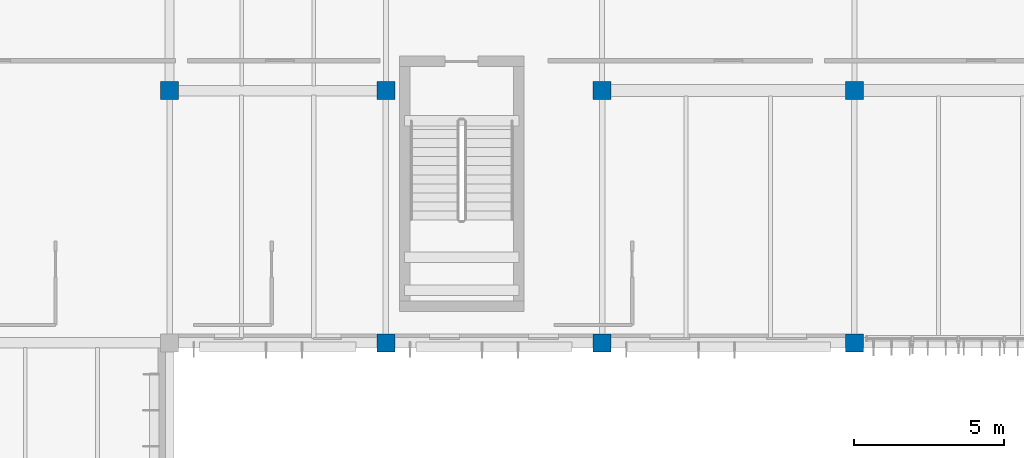
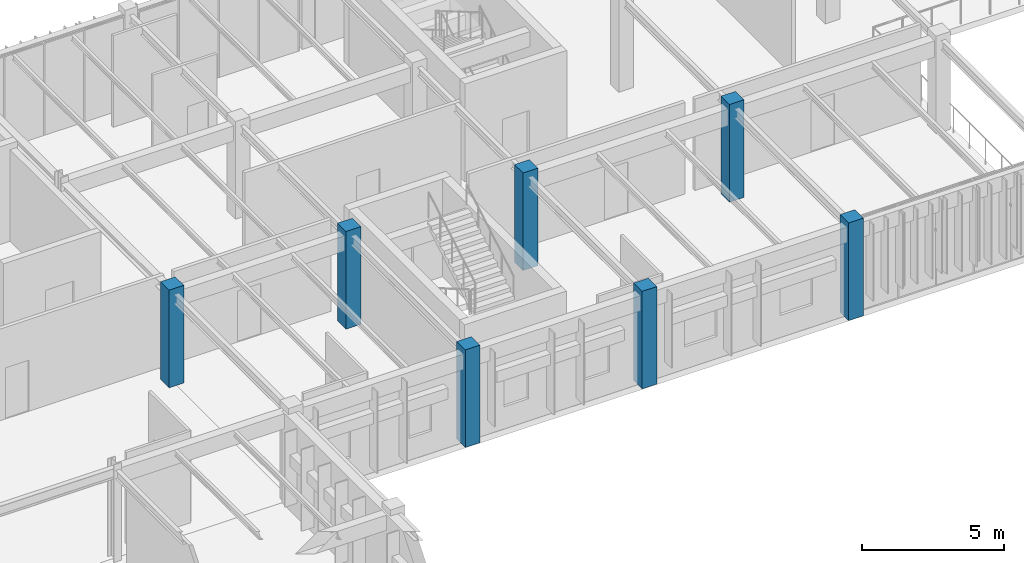
# One storey, part 9 of 122: 7 columns.
"""IFC4 building model written with IfcOpenShell, lengths in metres."""

from ifc_helpers import new_model, si_unit, direction, frame, origin, origin_2d, place, context, subcontext, project, spatial, rectangle, extrude, material, material_profile, profile_set, type_object, element, save


model = new_model("IFC4")

# Units and contexts
model_context = context("Model", 3, precision=1e-05, world=origin(), true_north=direction((0.0, 1.0)))
body_context = subcontext(model_context, "Body", "Model", "MODEL_VIEW")
ifc_project = project(units=[si_unit("LENGTHUNIT", "METRE"), si_unit("AREAUNIT", "SQUARE_METRE"), si_unit("VOLUMEUNIT", "CUBIC_METRE"), si_unit("PLANEANGLEUNIT", "RADIAN"), si_unit("MASSUNIT", "GRAM", prefix="KILO")], contexts=[model_context])

# Site, building, storey
site_placement = place(None, origin())
site = spatial("IfcSite", under=ifc_project, at=site_placement, CompositionType="ELEMENT")
building_placement = place(site_placement, origin())
building = spatial("IfcBuilding", under=site, at=building_placement, Name="Tazoul Stagehouse", CompositionType="ELEMENT")
storey_placement = place(building_placement, frame((0.0, 0.0, 4.800048828125)))
storey = spatial("IfcBuildingStorey", under=building, at=storey_placement, Name="L01", CompositionType="ELEMENT", Elevation=4.800048828125)

# Columns
ifc_material = material(Name="Concrete C40/50", Category="concrete")
ifc_material_profile_1 = material_profile(ifc_material, rectangle(XDim=0.60009765625, YDim=0.60009765625, at=origin_2d()), Name="RC 600x600")
ifc_profile_set_1 = profile_set([ifc_material_profile_1], Name="Concrete C40/50")
column_type_1 = type_object("IfcColumnType", Name="RC Column 600x600", PredefinedType="COLUMN", material=ifc_profile_set_1)
for number, where, z_axis, x_axis, name in (
    (1, (102.60009765625, 96.199951171875, 0.0), (0.0, 0.0, 1.0), (1.0, 0.0, 0.0), "L01 Column C-03 at 16/P"),
    (2, (109.800048828125, 96.199951171875, 0.0), (0.0, 0.0, 1.0), (1.0, 0.0, 0.0), "L01 Column C-03 at 17/P"),
    (3, (117.0, 96.199951171875, 0.0), (0.0, 0.0, 1.0), (1.0, 0.0, 0.0), "L01 Column C-03 at 18/P"),
    (4, (125.39990234375, 96.199951171875, 0.0), (0.0, 0.0, 1.0), (1.0, 0.0, 0.0), "L01 Column C-03 at 19/P"),
):
    element("IfcColumn", number, at=place(storey_placement, frame(where, z_axis=z_axis, x_axis=x_axis)), inside=storey, type_object=column_type_1, Name=name, PredefinedType="COLUMN", context=body_context, shape_type="SweptSolid", body=[
        extrude(rectangle(XDim=0.60009765625, YDim=0.60009765625, at=origin_2d()), origin(), (0.0, 0.0, 1.0), 4.199951171875),
    ])
ifc_material_profile_2 = material_profile(ifc_material, rectangle(XDim=0.60009765625, YDim=0.60009765625, at=origin_2d()), Name="RC 600x600")
ifc_profile_set_2 = profile_set([ifc_material_profile_2], Name="Concrete C40/50")
column_type_2 = type_object("IfcColumnType", Name="RC Column 600x600 (Exterior)", PredefinedType="COLUMN", material=ifc_profile_set_2)
for number, where, z_axis, x_axis, name in (
    (5, (109.800048828125, 87.800048828125, 0.0), (0.0, 0.0, 1.0), (1.0, 0.0, 0.0), "L01 Column C-03E at 17/N"),
    (6, (117.0, 87.800048828125, 0.0), (0.0, 0.0, 1.0), (1.0, 0.0, 0.0), "L01 Column C-03E at 18/N"),
    (7, (125.39990234375, 87.800048828125, 0.0), (0.0, 0.0, 1.0), (1.0, 0.0, 0.0), "L01 Column C-03E at 19/N"),
):
    element("IfcColumn", number, at=place(storey_placement, frame(where, z_axis=z_axis, x_axis=x_axis)), inside=storey, type_object=column_type_2, Name=name, PredefinedType="COLUMN", context=body_context, shape_type="SweptSolid", body=[
        extrude(rectangle(XDim=0.60009765625, YDim=0.60009765625, at=origin_2d()), origin(), (0.0, 0.0, 1.0), 4.199951171875),
    ])

save(model, "model.ifc")
